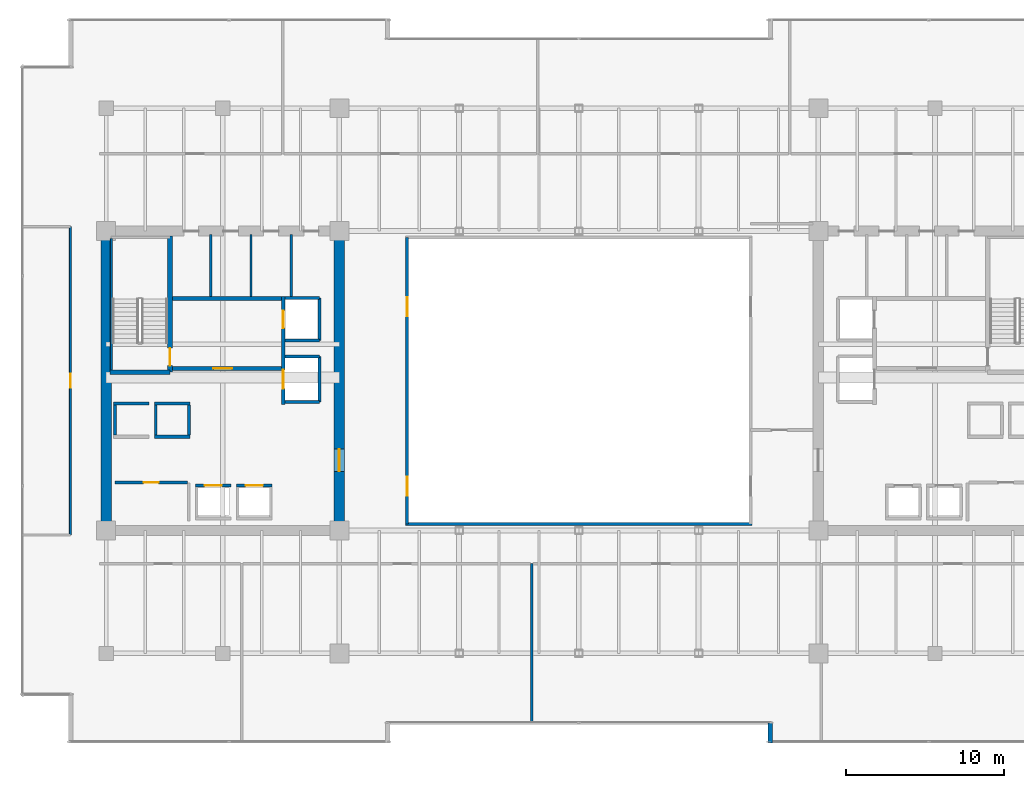
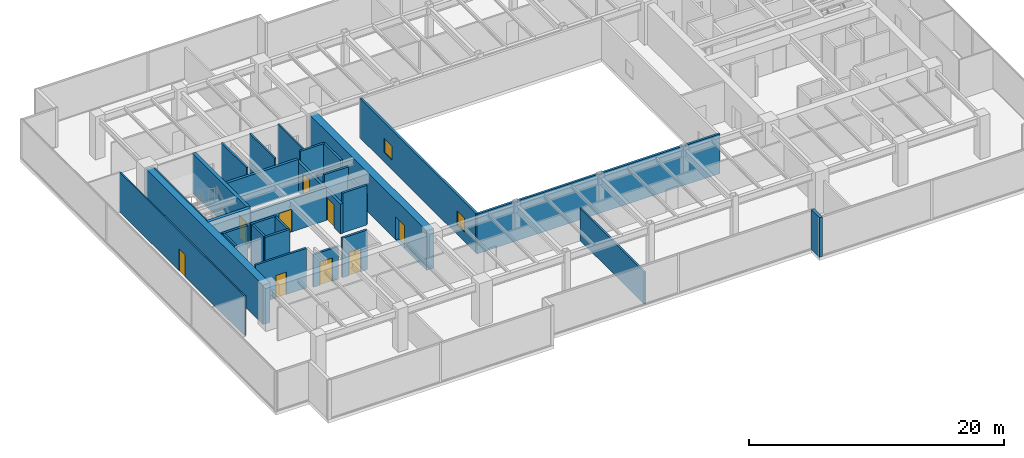
# One storey, part 25 of 30: 31 walls, 9 doors, 2 windows, 11 openings.
"""IFC4 building model written with IfcOpenShell, lengths in metres."""

from ifc_helpers import new_model, si_unit, direction, frame, frame_2d, origin, place, context, subcontext, project, spatial, rectangle, extrude, source, transform, mapped, material, layer, layer_set, type_object, type_shapes, element, fill, save


model = new_model("IFC4")

# Units and contexts
model_context = context("Model", 3, precision=1e-05, world=origin(), true_north=direction((0.0, 1.0)))
body_context = subcontext(model_context, "Body", "Model", "MODEL_VIEW")
ifc_project = project(units=[si_unit("LENGTHUNIT", "METRE"), si_unit("AREAUNIT", "SQUARE_METRE"), si_unit("VOLUMEUNIT", "CUBIC_METRE"), si_unit("PLANEANGLEUNIT", "RADIAN"), si_unit("MASSUNIT", "GRAM", prefix="KILO")], contexts=[model_context])

# Site, building, storey
site_placement = place(None, origin())
site = spatial("IfcSite", under=ifc_project, at=site_placement, CompositionType="ELEMENT")
building_placement = place(site_placement, origin())
building = spatial("IfcBuilding", under=site, at=building_placement, Name="Haelvirn Gate Laboratories", CompositionType="ELEMENT")
storey_placement = place(building_placement, frame((0.0, 0.0, 121.5)))
storey = spatial("IfcBuildingStorey", under=building, at=storey_placement, Name="L29", CompositionType="ELEMENT", Elevation=121.5)

# Walls
ifc_material_1 = material(Name="Thermally-broken bronze aluminium rainscreen & mineral wool", Category="aluminium")
ifc_layer_1 = layer(ifc_material_1, 0.280029296875, Name="EW-TERR-280")
ifc_layer_set_1 = layer_set([ifc_layer_1], Name="Thermally-broken bronze aluminium rainscreen & mineral wool")
wall_type_1 = type_object("IfcWallType", Name="EW-TERR-280", PredefinedType="STANDARD", material=ifc_layer_set_1)
wall_1_placement = place(storey_placement, frame((49.5400390625, 2.587890625, 0.0), z_axis=(0.0, 0.0, 1.0), x_axis=(0.0, -1.0, 0.0)))
element("IfcWall", 1, at=wall_1_placement, inside=storey, type_object=wall_type_1, Name="L29 Atrium Recess Bronze Return Wall 03", PredefinedType="STANDARD", context=body_context, shape_type="SweptSolid", body=[
    extrude(rectangle(XDim=1.287841796875, YDim=0.280029296875, at=frame_2d((0.64404296875, 0.0))), origin(), (0.0, 0.0, 1.0), 3.7900390625),
])
ifc_material_2 = material(Name="Double-layer acoustic gypsum laboratory partition", Category="gypsum")
ifc_layer_2 = layer(ifc_material_2, 0.159912109375, Name="IW-ACOUST-160")
ifc_layer_set_2 = layer_set([ifc_layer_2], Name="Double-layer acoustic gypsum laboratory partition")
wall_type_2 = type_object("IfcWallType", Name="IW-ACOUST-160", PredefinedType="PARTITIONING", material=ifc_layer_set_2)
wall_2_placement = place(storey_placement, frame((34.39990234375, 2.610107421875, 0.0), z_axis=(0.0, 0.0, 1.0), x_axis=(0.0, 1.0, 0.0)))
element("IfcWall", 2, at=wall_2_placement, inside=storey, type_object=wall_type_2, Name="L29 Interior Wall IW-L29-SDIV-02", PredefinedType="PARTITIONING", context=body_context, shape_type="SweptSolid", body=[
    extrude(rectangle(XDim=10.079833984375, YDim=0.159912109375, at=frame_2d((5.0400390625, 0.0))), origin(), (0.0, 0.0, 1.0), 3.074951171875),
])

# Wall, openings, windows
ifc_material_3 = material(Name="Tempered fire-rated borosilicate glass & anodised aluminium", Category="aluminium")
ifc_layer_3 = layer(ifc_material_3, 0.195068359375, Name="IW-GLAZ-200")
ifc_layer_set_3 = layer_set([ifc_layer_3], Name="Tempered fire-rated borosilicate glass & anodised aluminium")
wall_type_3 = type_object("IfcWallType", Name="IW-GLAZ-200", PredefinedType="SOLIDWALL", material=ifc_layer_set_3)
wall_3_placement = place(storey_placement, frame((26.5, 15.199951171875, 0.0), z_axis=(0.0, 0.0, 1.0), x_axis=(0.0, 1.0, 0.0)))
wall_3 = element("IfcWall", 3, at=wall_3_placement, inside=storey, type_object=wall_type_3, Name="L29 Interior Wall IW-L29-ATRIUM-W", PredefinedType="SOLIDWALL", context=body_context, shape_type="SweptSolid", body=[
    extrude(rectangle(XDim=18.199951171875, YDim=0.195068359375, at=frame_2d((9.10009765625, 0.0))), origin(), (0.0, 0.0, 1.0), 3.7900390625),
])
opening_1_placement = place(wall_3_placement, frame((1.800048828125, 0.0, 0.89990234375)))
opening_1 = element("IfcOpeningElement", 4, at=opening_1_placement, cuts=wall_3, Name="Opening W6", PredefinedType="OPENING", context=body_context, shape_type="SweptSolid", body=[
    extrude(rectangle(XDim=1.199951171875, YDim=1.35009765625, at=frame_2d((0.60009765625, 0.675048828125))), frame((0.0, 0.107421875, 0.0), z_axis=(0.0, -1.0, 0.0), x_axis=(1.0, 0.0, 0.0)), (0.0, 0.0, 1.0), 0.215087890625),
])
opening_2_placement = place(wall_3_placement, frame((13.199951171875, 0.0, 0.89990234375)))
opening_2 = element("IfcOpeningElement", 5, at=opening_2_placement, cuts=wall_3, Name="Opening W6", PredefinedType="OPENING", context=body_context, shape_type="SweptSolid", body=[
    extrude(rectangle(XDim=1.199951171875, YDim=1.35009765625, at=frame_2d((0.60009765625, 0.675048828125))), frame((0.0, 0.107421875, 0.0), z_axis=(0.0, -1.0, 0.0), x_axis=(1.0, 0.0, 0.0)), (0.0, 0.0, 1.0), 0.215087890625),
])
ifc_material_4 = material(Name="Fire-rated EI 120 borosilicate atrium vision glazing", Category="glass")
window_type = type_object("IfcWindowType", Name="WN-ATR-1200", PartitioningType="SINGLE_PANEL", PredefinedType="WINDOW", material=ifc_material_4)
shared_shape_1 = source(origin(), body_context, "Body", "SweptSolid", [
    extrude(rectangle(XDim=1.199951171875, YDim=1.35009765625, at=frame_2d((0.60009765625, 0.675048828125))), frame((0.0, 0.030029296875, 0.0), z_axis=(0.0, -1.0, 0.0), x_axis=(1.0, 0.0, 0.0)), (0.0, 0.0, 1.0), 0.06005859375),
])
type_shapes(window_type, [shared_shape_1])
window_1_placement = place(opening_1_placement, origin())
window_1 = element("IfcWindow", 6, at=window_1_placement, inside=storey, type_object=window_type, Name="L29 Atrium Observation Window 1", OverallHeight=1.35009765625, OverallWidth=1.199951171875, PartitioningType="SINGLE_PANEL", PredefinedType="WINDOW", context=body_context, shape_type="MappedRepresentation", body=[
    mapped(shared_shape_1, transform((0.0, 0.0, 0.0), scale=1.0)),
])
fill(opening_1, window_1)
window_2_placement = place(opening_2_placement, origin())
window_2 = element("IfcWindow", 7, at=window_2_placement, inside=storey, type_object=window_type, Name="L29 Atrium Observation Window 2", OverallHeight=1.35009765625, OverallWidth=1.199951171875, PartitioningType="SINGLE_PANEL", PredefinedType="WINDOW", context=body_context, shape_type="MappedRepresentation", body=[
    mapped(shared_shape_1, transform((0.0, 0.0, 0.0), scale=1.0)),
])
fill(opening_2, window_2)

# Wall
wall_4_placement = place(storey_placement, frame((26.39990234375, 15.199951171875, 0.0), z_axis=(0.0, 0.0, 1.0), x_axis=(1.0, 0.0, 0.0)))
element("IfcWall", 8, at=wall_4_placement, inside=storey, type_object=wall_type_3, Name="L29 Interior Wall IW-L29-ATRIUM-S", PredefinedType="SOLIDWALL", context=body_context, shape_type="SweptSolid", body=[
    extrude(rectangle(XDim=22.0, YDim=0.195068359375, at=frame_2d((11.0, 0.0))), origin(), (0.0, 0.0, 1.0), 3.7900390625),
])

# Wall, opening, door
ifc_material_5 = material(Name="Lightweight acoustic gypsum board partition", Category="gypsum")
ifc_layer_4 = layer(ifc_material_5, 0.1201171875, Name="IW-PART-120")
ifc_layer_set_4 = layer_set([ifc_layer_4], Name="Lightweight acoustic gypsum board partition")
wall_type_4 = type_object("IfcWallType", Name="IW-PART-120", PredefinedType="PARTITIONING", material=ifc_layer_set_4)
wall_5_placement = place(storey_placement, frame((5.1298828125, 14.514892578125, 0.0), z_axis=(0.0, 0.0, 1.0), x_axis=(0.0, 1.0, 0.0)))
wall_5 = element("IfcWall", 9, at=wall_5_placement, inside=storey, type_object=wall_type_4, Name="L29 Interior Wall IW-L29-WPASS-01", PredefinedType="PARTITIONING", context=body_context, shape_type="SweptSolid", body=[
    extrude(rectangle(XDim=19.570068359375, YDim=0.1201171875, at=frame_2d((9.78515625, 0.0))), origin(), (0.0, 0.0, 1.0), 3.7900390625),
])
opening_3_placement = place(wall_5_placement, frame((9.3349609375, 0.0, 0.0)))
opening_3 = element("IfcOpeningElement", 10, at=opening_3_placement, cuts=wall_5, Name="Opening D4", PredefinedType="OPENING", context=body_context, shape_type="SweptSolid", body=[
    extrude(rectangle(XDim=0.89990234375, YDim=2.10009765625, at=frame_2d((0.449951171875, 1.050048828125))), frame((0.0, 0.070068359375, 0.0), z_axis=(0.0, -1.0, 0.0), x_axis=(1.0, 0.0, 0.0)), (0.0, 0.0, 1.0), 0.14013671875),
])
ifc_material_6 = material(Name="Glazed aluminium-framed write-up door", Category="aluminium")
door_type_1 = type_object("IfcDoorType", Name="DR-OFF-900", OperationType="NOTDEFINED", PredefinedType="DOOR", material=ifc_material_6)
shared_shape_2 = source(origin(), body_context, "Body", "SweptSolid", [
    extrude(rectangle(XDim=0.89990234375, YDim=2.10009765625, at=frame_2d((0.449951171875, 1.050048828125))), frame((0.0, 0.02490234375, 0.0), z_axis=(0.0, -1.0, 0.0), x_axis=(1.0, 0.0, 0.0)), (0.0, 0.0, 1.0), 0.050048828125),
])
type_shapes(door_type_1, [shared_shape_2])
door_1_placement = place(opening_3_placement, origin())
door_1 = element("IfcDoor", 11, at=door_1_placement, inside=storey, type_object=door_type_1, Name="L29 Peer-Review Seminar Room Door W1", OperationType="SINGLE_SWING_LEFT", OverallHeight=2.10009765625, OverallWidth=0.89990234375, PredefinedType="DOOR", context=body_context, shape_type="MappedRepresentation", body=[
    mapped(shared_shape_2, transform((0.0, 0.0, 0.0), scale=1.0)),
])
fill(opening_3, door_1)

# Walls
ifc_material_7 = material(Name="Cement-board restroom plumbing chase wall", Category="gypsum")
ifc_layer_5 = layer(ifc_material_7, 0.155029296875, Name="IW-PLUMB-160")
ifc_layer_set_5 = layer_set([ifc_layer_5], Name="Cement-board restroom plumbing chase wall")
wall_type_5 = type_object("IfcWallType", Name="IW-PLUMB-160", PredefinedType="PLUMBINGWALL", material=ifc_layer_set_5)
for number, where, z_axis, x_axis, name in (
    (12, (14.0400390625, 29.64990234375, 0.0), (0.0, 0.0, 1.0), (0.0, 1.0, 0.0), "L29 Interior Wall IW-L29-W-CDIV-1"),
    (13, (16.590087890625, 29.64990234375, 0.0), (0.0, 0.0, 1.0), (0.0, 1.0, 0.0), "L29 Interior Wall IW-L29-W-CDIV-2"),
    (14, (19.139892578125, 29.64990234375, 0.0), (0.0, 0.0, 1.0), (0.0, 1.0, 0.0), "L29 Interior Wall IW-L29-W-CDIV-3"),
):
    element("IfcWall", number, at=place(storey_placement, frame(where, z_axis=z_axis, x_axis=x_axis)), inside=storey, type_object=wall_type_5, Name=name, PredefinedType="PLUMBINGWALL", context=body_context, shape_type="SweptSolid", body=[
        extrude(rectangle(XDim=3.93017578125, YDim=0.155029296875, at=frame_2d((1.965087890625, 0.0))), origin(), (0.0, 0.0, 1.0), 3.7900390625),
    ])
ifc_material_8 = material(Name="Concrete C40/50", Category="concrete")
ifc_layer_6 = layer(ifc_material_8, 0.179931640625, Name="IW-SHAFT-180")
ifc_layer_set_6 = layer_set([ifc_layer_6], Name="Concrete C40/50")
wall_type_6 = type_object("IfcWallType", Name="IW-SHAFT-180", PredefinedType="SOLIDWALL", material=ifc_layer_set_6)
for number, where, z_axis, x_axis, name in (
    (15, (7.949951171875, 20.85009765625, 0.0), (0.0, 0.0, 1.0), (0.0, 1.0, 0.0), "L29 Interior Wall IW-L29-PL9-SD"),
    (16, (10.550048828125, 20.85009765625, 0.0), (0.0, 0.0, 1.0), (0.0, 1.0, 0.0), "L29 Interior Wall IW-L29-PL10-SD"),
    (17, (12.64990234375, 20.85009765625, 0.0), (0.0, 0.0, 1.0), (0.0, 1.0, 0.0), "L29 Interior Wall IW-L29-PL10-SDE"),
):
    element("IfcWall", number, at=place(storey_placement, frame(where, z_axis=z_axis, x_axis=x_axis)), inside=storey, type_object=wall_type_6, Name=name, PredefinedType="SOLIDWALL", context=body_context, shape_type="SweptSolid", body=[
        extrude(rectangle(XDim=1.89990234375, YDim=0.179931640625, at=frame_2d((0.949951171875, 0.0))), origin(), (0.0, 0.0, 1.0), 3.7900390625),
    ])

# Wall, opening, door
wall_6_placement = place(storey_placement, frame((7.949951171875, 17.85009765625, 0.0), z_axis=(0.0, 0.0, 1.0), x_axis=(1.0, 0.0, 0.0)))
wall_6 = element("IfcWall", 18, at=wall_6_placement, inside=storey, type_object=wall_type_6, Name="L29 Interior Wall IW-L29-W-FREED-LN-1", PredefinedType="SOLIDWALL", context=body_context, shape_type="SweptSolid", body=[
    extrude(rectangle(XDim=4.60009765625, YDim=0.179931640625, at=frame_2d((2.300048828125, 0.0))), origin(), (0.0, 0.0, 1.0), 3.7900390625),
])
opening_4_placement = place(wall_6_placement, frame((1.824951171875, 0.0, 0.0)))
opening_4 = element("IfcOpeningElement", 19, at=opening_4_placement, cuts=wall_6, Name="Opening FD4", PredefinedType="OPENING", context=body_context, shape_type="SweptSolid", body=[
    extrude(rectangle(XDim=0.949951171875, YDim=2.14990234375, at=frame_2d((0.47509765625, 1.074951171875))), frame((0.0, 0.10009765625, 0.0), z_axis=(0.0, -1.0, 0.0), x_axis=(1.0, 0.0, 0.0)), (0.0, 0.0, 1.0), 0.199951171875),
])
ifc_material_9 = material(Name="Fire-rated steel SM355 core service door", Category="steel")
door_type_2 = type_object("IfcDoorType", Name="DR-FD-950", OperationType="NOTDEFINED", PredefinedType="DOOR", material=ifc_material_9)
shared_shape_3 = source(origin(), body_context, "Body", "SweptSolid", [
    extrude(rectangle(XDim=0.949951171875, YDim=2.14990234375, at=frame_2d((0.47509765625, 1.074951171875))), frame((0.0, 0.02490234375, 0.0), z_axis=(0.0, -1.0, 0.0), x_axis=(1.0, 0.0, 0.0)), (0.0, 0.0, 1.0), 0.050048828125),
])
type_shapes(door_type_2, [shared_shape_3])
door_2_placement = place(opening_4_placement, origin())
door_2 = element("IfcDoor", 20, at=door_2_placement, inside=storey, type_object=door_type_2, Name="L29 Autoclave & Glasswash Room Door", OperationType="SINGLE_SWING_LEFT", OverallHeight=2.14990234375, OverallWidth=0.949951171875, PredefinedType="DOOR", context=body_context, shape_type="MappedRepresentation", body=[
    mapped(shared_shape_3, transform((0.0, 0.0, 0.0), scale=1.0)),
])
fill(opening_4, door_2)

ifc_layer_7 = layer(ifc_material_8, 0.199951171875, Name="IW-SHAFT-200")
ifc_layer_set_7 = layer_set([ifc_layer_7], Name="Concrete C40/50")
wall_type_7 = type_object("IfcWallType", Name="IW-SHAFT-200", PredefinedType="SOLIDWALL", material=ifc_layer_set_7)
wall_7_placement = place(storey_placement, frame((13.070068359375, 17.64990234375, 0.0), z_axis=(0.0, 0.0, 1.0), x_axis=(1.0, 0.0, 0.0)))
wall_7 = element("IfcWall", 21, at=wall_7_placement, inside=storey, type_object=wall_type_7, Name="L29 Interior Wall IW-L29-PL5-FR", PredefinedType="SOLIDWALL", context=body_context, shape_type="SweptSolid", body=[
    extrude(rectangle(XDim=2.260009765625, YDim=0.199951171875, at=frame_2d((1.1298828125, 0.0))), origin(), (0.0, 0.0, 1.0), 3.125),
])
opening_5_placement = place(wall_7_placement, frame((0.580078125, 0.0, 0.0)))
opening_5 = element("IfcOpeningElement", 22, at=opening_5_placement, cuts=wall_7, Name="Opening LD2", PredefinedType="OPENING", context=body_context, shape_type="SweptSolid", body=[
    extrude(rectangle(XDim=1.10009765625, YDim=2.219970703125, at=frame_2d((0.550048828125, 1.10986328125))), frame((0.0, 0.10986328125, 0.0), z_axis=(0.0, -1.0, 0.0), x_axis=(1.0, 0.0, 0.0)), (0.0, 0.0, 1.0), 0.219970703125),
])
ifc_material_10 = material(Name="Bronze stainless 316L sliding lift landing door")
door_type_3 = type_object("IfcDoorType", Name="DR-LD-1100", OperationType="NOTDEFINED", PredefinedType="USERDEFINED", material=ifc_material_10)
shared_shape_4 = source(origin(), body_context, "Body", "SweptSolid", [
    extrude(rectangle(XDim=1.10009765625, YDim=2.219970703125, at=frame_2d((0.550048828125, 1.10986328125))), frame((0.0, 0.02490234375, 0.0), z_axis=(0.0, -1.0, 0.0), x_axis=(1.0, 0.0, 0.0)), (0.0, 0.0, 1.0), 0.050048828125),
])
type_shapes(door_type_3, [shared_shape_4])
door_3_placement = place(opening_5_placement, origin())
door_3 = element("IfcDoor", 23, at=door_3_placement, inside=storey, type_object=door_type_3, Name="L29 Passenger Lift PL5 Landing Door", ObjectType="LANDING_DOOR", OperationType="SLIDING_TO_LEFT", OverallHeight=2.219970703125, OverallWidth=1.10009765625, PredefinedType="USERDEFINED", context=body_context, shape_type="MappedRepresentation", body=[
    mapped(shared_shape_4, transform((0.0, 0.0, 0.0), scale=1.0)),
])
fill(opening_5, door_3)

wall_8_placement = place(storey_placement, frame((15.669921875, 17.64990234375, 0.0), z_axis=(0.0, 0.0, 1.0), x_axis=(1.0, 0.0, 0.0)))
wall_8 = element("IfcWall", 24, at=wall_8_placement, inside=storey, type_object=wall_type_7, Name="L29 Interior Wall IW-L29-PL6-FR", PredefinedType="SOLIDWALL", context=body_context, shape_type="SweptSolid", body=[
    extrude(rectangle(XDim=2.260009765625, YDim=0.199951171875, at=frame_2d((1.1298828125, 0.0))), origin(), (0.0, 0.0, 1.0), 3.7900390625),
])
opening_6_placement = place(wall_8_placement, frame((0.580078125, 0.0, 0.0)))
opening_6 = element("IfcOpeningElement", 25, at=opening_6_placement, cuts=wall_8, Name="Opening LD2", PredefinedType="OPENING", context=body_context, shape_type="SweptSolid", body=[
    extrude(rectangle(XDim=1.10009765625, YDim=2.219970703125, at=frame_2d((0.550048828125, 1.10986328125))), frame((0.0, 0.10986328125, 0.0), z_axis=(0.0, -1.0, 0.0), x_axis=(1.0, 0.0, 0.0)), (0.0, 0.0, 1.0), 0.219970703125),
])
door_4_placement = place(opening_6_placement, origin())
door_4 = element("IfcDoor", 26, at=door_4_placement, inside=storey, type_object=door_type_3, Name="L29 Passenger Lift PL6 Landing Door", ObjectType="LANDING_DOOR", OperationType="SLIDING_TO_RIGHT", OverallHeight=2.219970703125, OverallWidth=1.10009765625, PredefinedType="USERDEFINED", context=body_context, shape_type="MappedRepresentation", body=[
    mapped(shared_shape_4, transform((0.0, 0.0, 0.0), scale=1.0)),
])
fill(opening_6, door_4)

# Walls
wall_9_placement = place(storey_placement, frame((7.8701171875, 22.85009765625, 0.0), z_axis=(0.0, 0.0, 1.0), x_axis=(1.0, 0.0, 0.0)))
element("IfcWall", 27, at=wall_9_placement, inside=storey, type_object=wall_type_7, Name="L29 Interior Wall IW-L29-PL9-BK", PredefinedType="SOLIDWALL", context=body_context, shape_type="SweptSolid", body=[
    extrude(rectangle(XDim=2.259765625, YDim=0.199951171875, at=frame_2d((1.1298828125, 0.0))), origin(), (0.0, 0.0, 1.0), 3.7900390625),
])
for number, where, z_axis, x_axis, name in (
    (28, (10.469970703125, 20.75, 0.0), (0.0, 0.0, 1.0), (1.0, 0.0, 0.0), "L29 Interior Wall IW-L29-PL10-FR"),
    (29, (10.469970703125, 22.85009765625, 0.0), (0.0, 0.0, 1.0), (1.0, 0.0, 0.0), "L29 Interior Wall IW-L29-PL10-BK"),
):
    element("IfcWall", number, at=place(storey_placement, frame(where, z_axis=z_axis, x_axis=x_axis)), inside=storey, type_object=wall_type_7, Name=name, PredefinedType="SOLIDWALL", context=body_context, shape_type="SweptSolid", body=[
        extrude(rectangle(XDim=2.260009765625, YDim=0.199951171875, at=frame_2d((1.1298828125, 0.0))), origin(), (0.0, 0.0, 1.0), 3.7900390625),
    ])
wall_10_placement = place(storey_placement, frame((20.949951171875, 26.85009765625, 0.0), z_axis=(0.0, 0.0, 1.0), x_axis=(0.0, 1.0, 0.0)))
element("IfcWall", 30, at=wall_10_placement, inside=storey, type_object=wall_type_7, Name="L29 Interior Wall IW-L29-FL1-BK", PredefinedType="SOLIDWALL", context=body_context, shape_type="SweptSolid", body=[
    extrude(rectangle(XDim=2.699951171875, YDim=0.199951171875, at=frame_2d((1.35009765625, 0.0))), origin(), (0.0, 0.0, 1.0), 3.7900390625),
])
wall_11_placement = place(storey_placement, frame((18.760009765625, 29.550048828125, 0.0), z_axis=(0.0, 0.0, 1.0), x_axis=(1.0, 0.0, 0.0)))
element("IfcWall", 31, at=wall_11_placement, inside=storey, type_object=wall_type_7, Name="L29 Interior Wall IW-L29-FL1-N", PredefinedType="SOLIDWALL", context=body_context, shape_type="SweptSolid", body=[
    extrude(rectangle(XDim=2.18994140625, YDim=0.199951171875, at=frame_2d((1.094970703125, 0.0))), origin(), (0.0, 0.0, 1.0), 3.7900390625),
])
wall_12_placement = place(storey_placement, frame((18.760009765625, 26.85009765625, 0.0), z_axis=(0.0, 0.0, 1.0), x_axis=(1.0, 0.0, 0.0)))
element("IfcWall", 32, at=wall_12_placement, inside=storey, type_object=wall_type_7, Name="L29 Interior Wall IW-L29-FL1-S", PredefinedType="SOLIDWALL", context=body_context, shape_type="SweptSolid", body=[
    extrude(rectangle(XDim=2.18994140625, YDim=0.199951171875, at=frame_2d((1.094970703125, 0.0))), origin(), (0.0, 0.0, 1.0), 3.18701171875),
])
wall_13_placement = place(storey_placement, frame((20.949951171875, 22.949951171875, 0.0), z_axis=(0.0, 0.0, 1.0), x_axis=(0.0, 1.0, 0.0)))
element("IfcWall", 33, at=wall_13_placement, inside=storey, type_object=wall_type_7, Name="L29 Interior Wall IW-L29-SL1-BK", PredefinedType="SOLIDWALL", context=body_context, shape_type="SweptSolid", body=[
    extrude(rectangle(XDim=2.900146484375, YDim=0.199951171875, at=frame_2d((1.4501953125, 0.0))), origin(), (0.0, 0.0, 1.0), 2.875),
])
for number, where, z_axis, x_axis, name in (
    (34, (18.760009765625, 25.85009765625, 0.0), (0.0, 0.0, 1.0), (1.0, 0.0, 0.0), "L29 Interior Wall IW-L29-SL1-N"),
    (35, (18.760009765625, 22.949951171875, 0.0), (0.0, 0.0, 1.0), (1.0, 0.0, 0.0), "L29 Interior Wall IW-L29-SL1-S"),
):
    element("IfcWall", number, at=place(storey_placement, frame(where, z_axis=z_axis, x_axis=x_axis)), inside=storey, type_object=wall_type_7, Name=name, PredefinedType="SOLIDWALL", context=body_context, shape_type="SweptSolid", body=[
        extrude(rectangle(XDim=2.18994140625, YDim=0.199951171875, at=frame_2d((1.094970703125, 0.0))), origin(), (0.0, 0.0, 1.0), 3.7900390625),
    ])

# Wall, opening, door
ifc_layer_8 = layer(ifc_material_8, 0.239990234375, Name="IW-SHAFT-240")
ifc_layer_set_8 = layer_set([ifc_layer_8], Name="Concrete C40/50")
wall_type_8 = type_object("IfcWallType", Name="IW-SHAFT-240", PredefinedType="SOLIDWALL", material=ifc_layer_set_8)
wall_14_placement = place(storey_placement, frame((11.60009765625, 25.080078125, 0.0), z_axis=(0.0, 0.0, 1.0), x_axis=(1.0, 0.0, 0.0)))
wall_14 = element("IfcWall", 36, at=wall_14_placement, inside=storey, type_object=wall_type_8, Name="L29 Interior Wall IW-L29-W-FF-S", PredefinedType="SOLIDWALL", context=body_context, shape_type="SweptSolid", body=[
    extrude(rectangle(XDim=6.919921875, YDim=0.239990234375, at=frame_2d((3.4599609375, 0.0))), origin(), (0.0, 0.0, 1.0), 3.125),
])
opening_7_placement = place(wall_14_placement, frame((2.60009765625, 0.0, 0.0)))
opening_7 = element("IfcOpeningElement", 37, at=opening_7_placement, cuts=wall_14, Name="Opening FD2", PredefinedType="OPENING", context=body_context, shape_type="SweptSolid", body=[
    extrude(rectangle(XDim=1.199951171875, YDim=2.159912109375, at=frame_2d((0.60009765625, 1.080078125))), frame((0.0, 0.1298828125, 0.0), z_axis=(0.0, -1.0, 0.0), x_axis=(1.0, 0.0, 0.0)), (0.0, 0.0, 1.0), 0.260009765625),
])
ifc_material_11 = material(Name="Fire-rated steel SM355 compartment door", Category="steel")
door_type_4 = type_object("IfcDoorType", Name="DR-FD-1200", OperationType="NOTDEFINED", PredefinedType="DOOR", material=ifc_material_11)
shared_shape_5 = source(origin(), body_context, "Body", "SweptSolid", [
    extrude(rectangle(XDim=1.199951171875, YDim=2.159912109375, at=frame_2d((0.60009765625, 1.080078125))), frame((0.0, 0.02490234375, 0.0), z_axis=(0.0, -1.0, 0.0), x_axis=(1.0, 0.0, 0.0)), (0.0, 0.0, 1.0), 0.050048828125),
])
type_shapes(door_type_4, [shared_shape_5])
door_5_placement = place(opening_7_placement, origin())
door_5 = element("IfcDoor", 38, at=door_5_placement, inside=storey, type_object=door_type_4, Name="L29 West Firefighting Lobby Door", OperationType="SINGLE_SWING_RIGHT", OverallHeight=2.159912109375, OverallWidth=1.199951171875, PredefinedType="DOOR", context=body_context, shape_type="MappedRepresentation", body=[
    mapped(shared_shape_5, transform((0.0, 0.0, 0.0), scale=1.0)),
])
fill(opening_7, door_5)

# Wall
wall_15_placement = place(storey_placement, frame((11.60009765625, 29.52001953125, 0.0), z_axis=(0.0, 0.0, 1.0), x_axis=(1.0, 0.0, 0.0)))
element("IfcWall", 39, at=wall_15_placement, inside=storey, type_object=wall_type_8, Name="L29 Interior Wall IW-L29-W-FF-N", PredefinedType="SOLIDWALL", context=body_context, shape_type="SweptSolid", body=[
    extrude(rectangle(XDim=6.919921875, YDim=0.239990234375, at=frame_2d((3.4599609375, 0.0))), origin(), (0.0, 0.0, 1.0), 3.125),
])

# Wall, openings, doors
wall_16_placement = place(storey_placement, frame((18.639892578125, 22.800048828125, 0.0), z_axis=(0.0, 0.0, 1.0), x_axis=(0.0, 1.0, 0.0)))
wall_16 = element("IfcWall", 40, at=wall_16_placement, inside=storey, type_object=wall_type_8, Name="L29 Interior Wall IW-L29-W-FF-E", PredefinedType="SOLIDWALL", context=body_context, shape_type="SweptSolid", body=[
    extrude(rectangle(XDim=6.849853515625, YDim=0.239990234375, at=frame_2d((3.4248046875, 0.0))), origin(), (0.0, 0.0, 1.0), 2.875),
])
opening_8_placement = place(wall_16_placement, frame((4.85009765625, 0.0, 0.0)))
opening_8 = element("IfcOpeningElement", 41, at=opening_8_placement, cuts=wall_16, Name="Opening LD2", PredefinedType="OPENING", context=body_context, shape_type="SweptSolid", body=[
    extrude(rectangle(XDim=1.10009765625, YDim=2.219970703125, at=frame_2d((0.550048828125, 1.10986328125))), frame((0.0, 0.1298828125, 0.0), z_axis=(0.0, -1.0, 0.0), x_axis=(1.0, 0.0, 0.0)), (0.0, 0.0, 1.0), 0.260009765625),
])
opening_9_placement = place(wall_16_placement, frame((1.0, 0.0, 0.0)))
opening_9 = element("IfcOpeningElement", 42, at=opening_9_placement, cuts=wall_16, Name="Opening LD1", PredefinedType="OPENING", context=body_context, shape_type="SweptSolid", body=[
    extrude(rectangle(XDim=1.199951171875, YDim=2.219970703125, at=frame_2d((0.60009765625, 1.10986328125))), frame((0.0, 0.1298828125, 0.0), z_axis=(0.0, -1.0, 0.0), x_axis=(1.0, 0.0, 0.0)), (0.0, 0.0, 1.0), 0.260009765625),
])
door_6_placement = place(opening_8_placement, origin())
door_6 = element("IfcDoor", 43, at=door_6_placement, inside=storey, type_object=door_type_3, Name="L29 Firefighting Lift FL1 Landing Door", ObjectType="LANDING_DOOR", OperationType="SLIDING_TO_LEFT", OverallHeight=2.219970703125, OverallWidth=1.10009765625, PredefinedType="USERDEFINED", context=body_context, shape_type="MappedRepresentation", body=[
    mapped(shared_shape_4, transform((0.0, 0.0, 0.0), scale=1.0)),
])
fill(opening_8, door_6)
ifc_material_12 = material(Name="Stainless steel 316L sliding goods landing door", Category="steel")
door_type_5 = type_object("IfcDoorType", Name="DR-LD-1200", OperationType="NOTDEFINED", PredefinedType="USERDEFINED", material=ifc_material_12)
shared_shape_6 = source(origin(), body_context, "Body", "SweptSolid", [
    extrude(rectangle(XDim=1.199951171875, YDim=2.219970703125, at=frame_2d((0.60009765625, 1.10986328125))), frame((0.0, 0.02490234375, 0.0), z_axis=(0.0, -1.0, 0.0), x_axis=(1.0, 0.0, 0.0)), (0.0, 0.0, 1.0), 0.050048828125),
])
type_shapes(door_type_5, [shared_shape_6])
door_7_placement = place(opening_9_placement, origin())
door_7 = element("IfcDoor", 44, at=door_7_placement, inside=storey, type_object=door_type_5, Name="L29 Service Lift SL1 Landing Door", ObjectType="LANDING_DOOR", OperationType="SLIDING_TO_RIGHT", OverallHeight=2.219970703125, OverallWidth=1.199951171875, PredefinedType="USERDEFINED", context=body_context, shape_type="MappedRepresentation", body=[
    mapped(shared_shape_6, transform((0.0, 0.0, 0.0), scale=1.0)),
])
fill(opening_9, door_7)

# Wall
ifc_material_13 = material(Name="Concrete C60/75", Category="concrete")
ifc_layer_9 = layer(ifc_material_13, 0.64990234375, Name="SW-CORE-650")
ifc_layer_set_9 = layer_set([ifc_layer_9], Name="Concrete C60/75")
wall_type_9 = type_object("IfcWallType", Name="SW-CORE-650", PredefinedType="SHEAR", material=ifc_layer_set_9)
wall_17_placement = place(storey_placement, frame((7.39990234375, 15.125, 0.0), z_axis=(0.0, 0.0, 1.0), x_axis=(0.0, 1.0, 0.0)))
element("IfcWall", 45, at=wall_17_placement, inside=storey, type_object=wall_type_9, Name="L29 W Core Shear Wall W", PredefinedType="SHEAR", context=body_context, shape_type="SweptSolid", body=[
    extrude(rectangle(XDim=18.35009765625, YDim=0.64990234375, at=frame_2d((9.175048828125, 0.0))), origin(), (0.0, 0.0, 1.0), 3.7900390625),
])

# Wall, opening, door
wall_18_placement = place(storey_placement, frame((22.199951171875, 15.125, 0.0), z_axis=(0.0, 0.0, 1.0), x_axis=(0.0, 1.0, 0.0)))
wall_18 = element("IfcWall", 46, at=wall_18_placement, inside=storey, type_object=wall_type_9, Name="L29 W Core Shear Wall E", PredefinedType="SHEAR", context=body_context, shape_type="SweptSolid", body=[
    extrude(rectangle(XDim=18.35009765625, YDim=0.64990234375, at=frame_2d((9.175048828125, 0.0))), origin(), (0.0, 0.0, 1.0), 3.7900390625),
])
opening_10_placement = place(wall_18_placement, frame((3.425048828125, 0.0, 0.0)))
opening_10 = element("IfcOpeningElement", 47, at=opening_10_placement, cuts=wall_18, Name="Opening FD1", PredefinedType="OPENING", context=body_context, shape_type="SweptSolid", body=[
    extrude(rectangle(XDim=1.419921875, YDim=2.199951171875, at=frame_2d((0.7099609375, 1.10009765625))), frame((0.0, 0.3349609375, 0.0), z_axis=(0.0, -1.0, 0.0), x_axis=(1.0, 0.0, 0.0)), (0.0, 0.0, 1.0), 0.669921875),
])
ifc_material_14 = material(Name="Fire-rated double steel SM355 lobby door", Category="steel")
door_type_6 = type_object("IfcDoorType", Name="DR-FD-1400", OperationType="NOTDEFINED", PredefinedType="DOOR", material=ifc_material_14)
shared_shape_7 = source(origin(), body_context, "Body", "SweptSolid", [
    extrude(rectangle(XDim=1.419921875, YDim=2.199951171875, at=frame_2d((0.7099609375, 1.10009765625))), frame((0.0, 0.02490234375, 0.0), z_axis=(0.0, -1.0, 0.0), x_axis=(1.0, 0.0, 0.0)), (0.0, 0.0, 1.0), 0.050048828125),
])
type_shapes(door_type_6, [shared_shape_7])
door_8_placement = place(opening_10_placement, origin())
door_8 = element("IfcDoor", 48, at=door_8_placement, inside=storey, type_object=door_type_6, Name="L29 West Core Lift Lobby Fire Door", OperationType="DOUBLE_DOOR_SINGLE_SWING", OverallHeight=2.199951171875, OverallWidth=1.419921875, PredefinedType="DOOR", context=body_context, shape_type="MappedRepresentation", body=[
    mapped(shared_shape_7, transform((0.0, 0.0, 0.0), scale=1.0)),
])
fill(opening_10, door_8)

# Wall
ifc_material_15 = material(Name="Concrete C50/60", Category="concrete")
ifc_layer_10 = layer(ifc_material_15, 0.1201171875, Name="SW-LINER-120")
ifc_layer_set_10 = layer_set([ifc_layer_10], Name="Concrete C50/60")
wall_type_10 = type_object("IfcWallType", Name="SW-LINER-120", PredefinedType="SOLIDWALL", material=ifc_layer_set_10)
wall_19_placement = place(storey_placement, frame((7.72998046875, 25.0, 0.0), z_axis=(0.0, 0.0, 1.0), x_axis=(0.0, 1.0, 0.0)))
element("IfcWall", 49, at=wall_19_placement, inside=storey, type_object=wall_type_10, Name="L29 W Core Stair Shaft Liner Wall OUT", PredefinedType="SOLIDWALL", context=body_context, shape_type="SweptSolid", body=[
    extrude(rectangle(XDim=8.320068359375, YDim=0.1201171875, at=frame_2d((4.16015625, 0.0))), origin(), (0.0, 0.0, 1.0), 3.7900390625),
])

# Wall, opening, door
ifc_layer_11 = layer(ifc_material_15, 0.300048828125, Name="SW-STAIR-300")
ifc_layer_set_11 = layer_set([ifc_layer_11], Name="Concrete C50/60")
wall_type_11 = type_object("IfcWallType", Name="SW-STAIR-300", PredefinedType="SHEAR", material=ifc_layer_set_11)
wall_20_placement = place(storey_placement, frame((11.449951171875, 24.85009765625, 0.0), z_axis=(0.0, 0.0, 1.0), x_axis=(0.0, 1.0, 0.0)))
wall_20 = element("IfcWall", 50, at=wall_20_placement, inside=storey, type_object=wall_type_11, Name="L29 W Core Stair Shaft Structural Wall IN", PredefinedType="SHEAR", context=body_context, shape_type="SweptSolid", body=[
    extrude(rectangle(XDim=8.6298828125, YDim=0.300048828125, at=frame_2d((4.31494140625, 0.0))), origin(), (0.0, 0.0, 1.0), 3.7900390625),
])
opening_11_placement = place(wall_20_placement, frame((0.419921875, 0.0, 0.0)))
opening_11 = element("IfcOpeningElement", 51, at=opening_11_placement, cuts=wall_20, Name="Opening FD3", PredefinedType="OPENING", context=body_context, shape_type="SweptSolid", body=[
    extrude(rectangle(XDim=1.10009765625, YDim=2.14990234375, at=frame_2d((0.550048828125, 1.074951171875))), frame((0.0, 0.16015625, 0.0), z_axis=(0.0, -1.0, 0.0), x_axis=(1.0, 0.0, 0.0)), (0.0, 0.0, 1.0), 0.320068359375),
])
ifc_material_16 = material(Name="Fire-rated steel SM355 escape stair door", Category="steel")
door_type_7 = type_object("IfcDoorType", Name="DR-FD-1100", OperationType="NOTDEFINED", PredefinedType="DOOR", material=ifc_material_16)
shared_shape_8 = source(origin(), body_context, "Body", "SweptSolid", [
    extrude(rectangle(XDim=1.10009765625, YDim=2.14990234375, at=frame_2d((0.550048828125, 1.074951171875))), frame((0.0, 0.02490234375, 0.0), z_axis=(0.0, -1.0, 0.0), x_axis=(1.0, 0.0, 0.0)), (0.0, 0.0, 1.0), 0.050048828125),
])
type_shapes(door_type_7, [shared_shape_8])
door_9_placement = place(opening_11_placement, origin())
door_9 = element("IfcDoor", 52, at=door_9_placement, inside=storey, type_object=door_type_7, Name="L29 Escape Stair ST1 Fire Door", OperationType="SINGLE_SWING_LEFT", OverallHeight=2.14990234375, OverallWidth=1.10009765625, PredefinedType="DOOR", context=body_context, shape_type="MappedRepresentation", body=[
    mapped(shared_shape_8, transform((0.0, 0.0, 0.0), scale=1.0)),
])
fill(opening_11, door_9)

# Wall
wall_21_placement = place(storey_placement, frame((7.64990234375, 24.85009765625, 0.0), z_axis=(0.0, 0.0, 1.0), x_axis=(1.0, 0.0, 0.0)))
element("IfcWall", 53, at=wall_21_placement, inside=storey, type_object=wall_type_11, Name="L29 W Core Stair Shaft Structural Wall S", PredefinedType="SHEAR", context=body_context, shape_type="SweptSolid", body=[
    extrude(rectangle(XDim=3.800048828125, YDim=0.300048828125, at=frame_2d((1.89990234375, 0.0))), origin(), (0.0, 0.0, 1.0), 3.7900390625),
])

save(model, "model.ifc")
